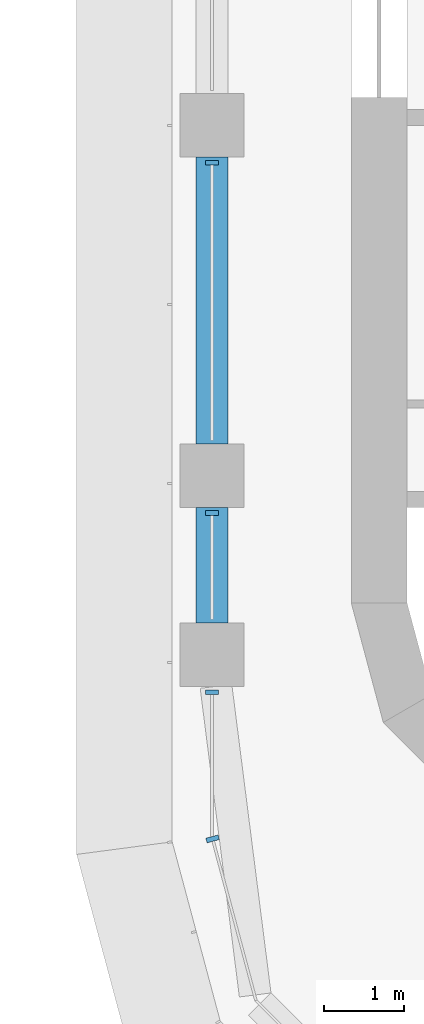
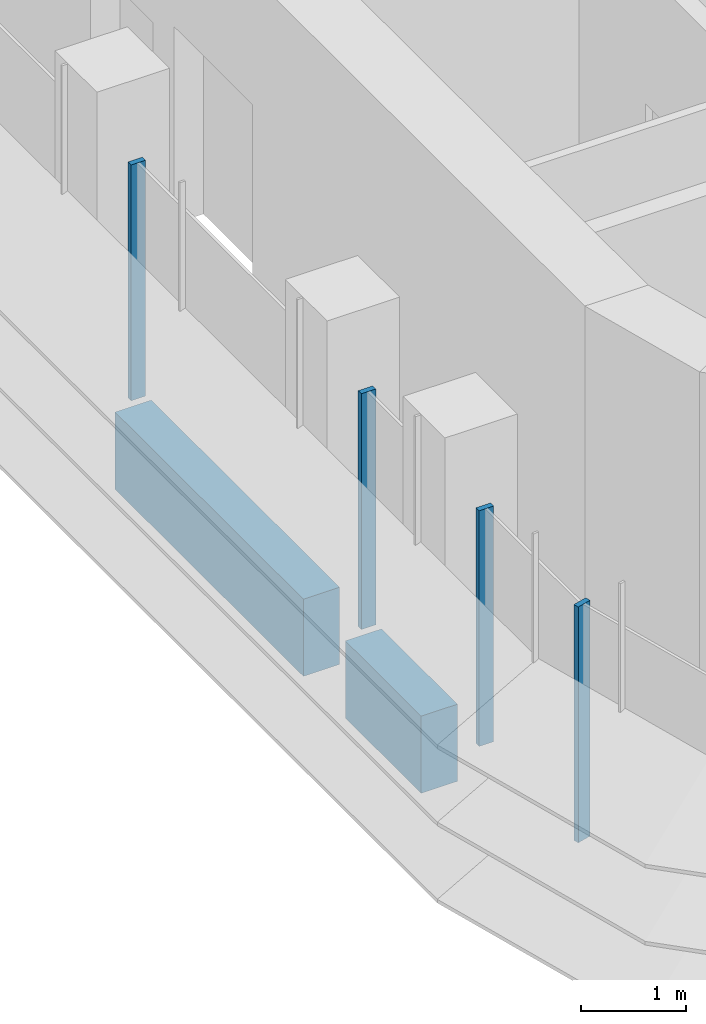
# One storey, part 2 of 20: 4 members, 2 beams, 2 elements without a shape of their own.
"""IFC4 building model written with IfcOpenShell, lengths in metres."""

from ifc_helpers import new_model, si_unit, direction, frame, origin, origin_2d, place, context, subcontext, project, spatial, polyline, rectangle, outline, extrude, source, transform, mapped, material, material_profile, profile_set, type_object, element, aggregate, save


model = new_model("IFC4")

# Units and contexts
model_context = context("Model", 3, precision=1e-05, world=origin(), true_north=direction((0.0, 1.0)))
body_context = subcontext(model_context, "Body", "Model", "MODEL_VIEW")
ifc_project = project(units=[si_unit("LENGTHUNIT", "METRE"), si_unit("AREAUNIT", "SQUARE_METRE"), si_unit("VOLUMEUNIT", "CUBIC_METRE"), si_unit("PLANEANGLEUNIT", "RADIAN"), si_unit("MASSUNIT", "GRAM", prefix="KILO")], contexts=[model_context])

# Site, building, storey
site_placement = place(None, origin())
site = spatial("IfcSite", under=ifc_project, at=site_placement, CompositionType="ELEMENT")
building_placement = place(site_placement, origin())
building = spatial("IfcBuilding", under=site, at=building_placement, Name="Zarbagh Exchange Tower", CompositionType="ELEMENT")
storey_placement = place(building_placement, frame((0.0, 0.0, 152.39990234375)))
storey = spatial("IfcBuildingStorey", under=building, at=storey_placement, Name="L36", CompositionType="ELEMENT", Elevation=152.39990234375)

# Beams
ifc_material_1 = material(Name="Concrete C50/60", Category="concrete")
ifc_material_profile = material_profile(ifc_material_1, rectangle(XDim=0.39990234375, YDim=0.89990234375, at=origin_2d()), Name="RC spandrel beam 400 x 900 C50/60")
ifc_profile_set = profile_set([ifc_material_profile], Name="Concrete C50/60")
beam_type = type_object("IfcBeamType", Name="RC spandrel beam 400 x 900 C50/60", PredefinedType="SPANDREL", material=ifc_profile_set)
beam_1_placement = place(storey_placement, frame((-6.25, -26.5, -0.599853515625), z_axis=(0.0, 1.0, 0.0), x_axis=(-1.0, 0.0, 0.0)))
element("IfcBeam", 1, at=beam_1_placement, inside=storey, type_object=beam_type, Name="RC spandrel beam", PredefinedType="SPANDREL", context=body_context, shape_type="SweptSolid", body=[
    extrude(rectangle(XDim=0.39990234375, YDim=0.89990234375, at=origin_2d()), origin(), (0.0, 0.0, 1.0), 1.449951171875),
])
beam_2_placement = place(storey_placement, frame((-6.25, -24.25, -0.599853515625), z_axis=(0.0, 1.0, 0.0), x_axis=(-1.0, 0.0, 0.0)))
element("IfcBeam", 2, at=beam_2_placement, inside=storey, type_object=beam_type, Name="RC spandrel beam", PredefinedType="SPANDREL", context=body_context, shape_type="SweptSolid", body=[
    extrude(rectangle(XDim=0.39990234375, YDim=0.89990234375, at=origin_2d()), origin(), (0.0, 0.0, 1.0), 3.60009765625),
])

# Curtain wall, members
ifc_material_2 = material(Name="Anodised aluminium frame and glazing", Category="aluminium")
curtain_wall_type = type_object("IfcCurtainWallType", Name="CWB Ribbon glazing, upper zones", PredefinedType="NOTDEFINED", material=ifc_material_2)
curtain_wall_1_placement = place(storey_placement, origin())
curtain_wall_1 = element("IfcCurtainWall", 3, at=curtain_wall_1_placement, inside=storey, type_object=curtain_wall_type, Name="CWB44 curtain wall", PredefinedType="NOTDEFINED")
ifc_material_3 = material(Name="Anodised aluminium frame", Category="aluminium")
member_type = type_object("IfcMemberType", Name="MUB Mullion, anodised aluminium frame", PredefinedType="MULLION", material=ifc_material_3)
shared_shape = source(origin(), body_context, "Body", "SweptSolid", [
    extrude(outline(polyline([(0.0, -0.080078125), (0.06005859375, -0.080078125), (0.06005859375, 0.080078125), (0.0, 0.080078125), (0.0, -0.080078125)])), origin(), (0.0, 0.0, 1.0), 2.75),
])
placement = place(storey_placement, origin())
member_1 = element("IfcMember", 4, at=placement, type_object=member_type, Name="CWB44 mullion 3.1", PredefinedType="MULLION", context=body_context, shape_type="MappedRepresentation", body=[
    mapped(shared_shape, transform((-6.25, -20.68994140625, 0.0), x_axis=(0.0, -1.0, 0.0), y_axis=(1.0, 0.0, 0.0), z_axis=(0.0, 0.0, 1.0))),
])
member_2 = element("IfcMember", 5, at=placement, type_object=member_type, Name="CWB44 mullion 4.1", PredefinedType="MULLION", context=body_context, shape_type="MappedRepresentation", body=[
    mapped(shared_shape, transform((-6.25, -25.090087890625, 0.0), x_axis=(0.0, -1.0, 0.0), y_axis=(1.0, 0.0, 0.0), z_axis=(0.0, 0.0, 1.0))),
])
member_3 = element("IfcMember", 6, at=placement, type_object=member_type, Name="CWB44 mullion 5.1", PredefinedType="MULLION", context=body_context, shape_type="MappedRepresentation", body=[
    mapped(shared_shape, transform((-6.25, -27.340087890625, 0.0), x_axis=(0.0, -1.0, 0.0), y_axis=(1.0, 0.0, 0.0), z_axis=(0.0, 0.0, 1.0))),
])
aggregate(curtain_wall_1, [member_1, member_2, member_3])

# Curtain wall, member
curtain_wall_2_placement = place(storey_placement, origin())
curtain_wall_2 = element("IfcCurtainWall", 7, at=curtain_wall_2_placement, inside=storey, type_object=curtain_wall_type, Name="CWB45 curtain wall", PredefinedType="NOTDEFINED")
member_4 = element("IfcMember", 8, at=placement, type_object=member_type, Name="CWB45 mullion 1.1", PredefinedType="MULLION", context=body_context, shape_type="MappedRepresentation", body=[
    mapped(shared_shape, transform((-6.25, -29.18408203125, 0.0), x_axis=(0.258824779902, -0.965924289636, 0.0), y_axis=(0.965924289636, 0.258824779902, 0.0), z_axis=(0.0, 0.0, 1.0))),
])
aggregate(curtain_wall_2, [member_4])

save(model, "model.ifc")
